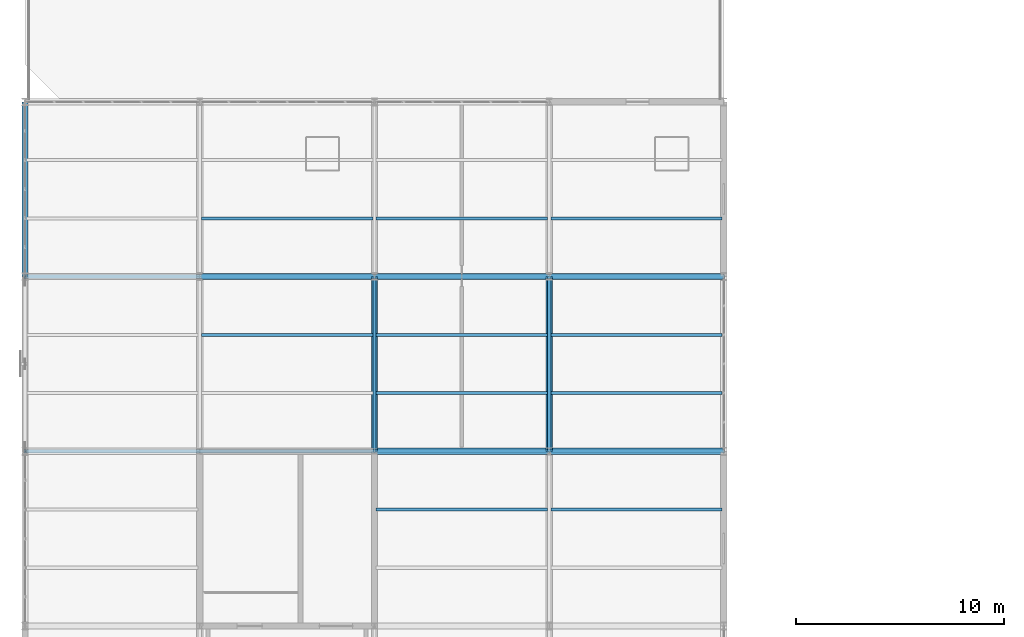
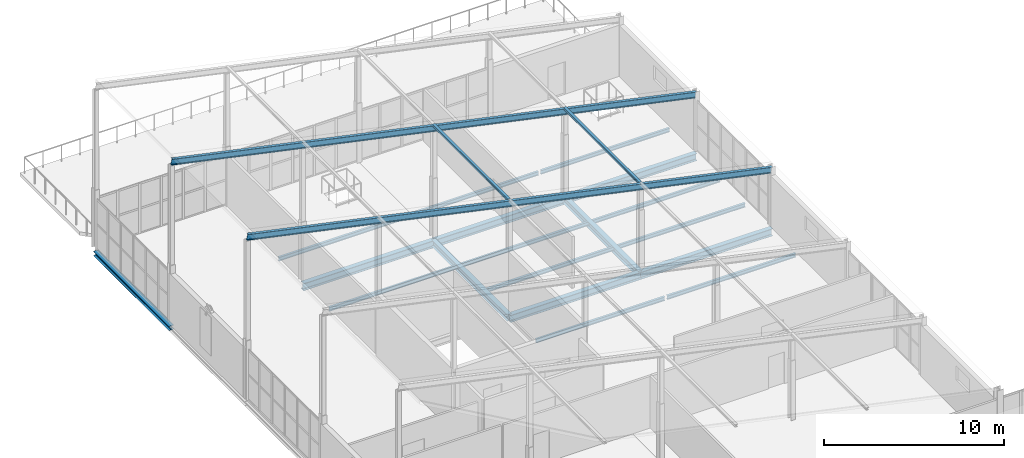
# One storey, part 105 of 184: 20 beams, 2 members.
"""IFC4 building model written with IfcOpenShell, lengths in metres."""

from ifc_helpers import new_model, si_unit, direction, frame, origin, origin_2d, place, context, subcontext, project, spatial, i_section, extrude, material, material_profile, profile_set, type_object, element, save


model = new_model("IFC4")

# Units and contexts
model_context = context("Model", 3, precision=1e-05, world=origin(), true_north=direction((0.0, 1.0)))
body_context = subcontext(model_context, "Body", "Model", "MODEL_VIEW")
ifc_project = project(units=[si_unit("LENGTHUNIT", "METRE"), si_unit("AREAUNIT", "SQUARE_METRE"), si_unit("VOLUMEUNIT", "CUBIC_METRE"), si_unit("PLANEANGLEUNIT", "RADIAN"), si_unit("MASSUNIT", "GRAM", prefix="KILO")], contexts=[model_context])

# Site, building, storey
site_placement = place(None, origin())
site = spatial("IfcSite", under=ifc_project, at=site_placement, CompositionType="ELEMENT")
building_placement = place(site_placement, origin())
building = spatial("IfcBuilding", under=site, at=building_placement, Name="Qalvenar Corner Mobility Hub", CompositionType="ELEMENT")
storey_placement = place(building_placement, frame((0.0, 0.0, 9.0)))
storey = spatial("IfcBuildingStorey", under=building, at=storey_placement, Name="L02", CompositionType="ELEMENT", Elevation=9.0)

# Beams
ifc_material = material(Name="Steel S355", Category="steel")
ifc_material_profile_1 = material_profile(ifc_material, i_section(OverallWidth=0.300048828125, OverallDepth=0.43994140625, WebThickness=0.011474609375, FlangeThickness=0.02099609375, FilletRadius=0.027099609375, at=origin_2d()), Name="HEA450")
ifc_profile_set_1 = profile_set([ifc_material_profile_1], Name="Steel S355")
beam_type_1 = type_object("IfcBeamType", Name="BM-HEA450", PredefinedType="BEAM", material=ifc_profile_set_1)
for number, where, z_axis, x_axis, name in (
    (1, (16.800048828125, 67.199951171875, -0.39990234375), (0.0, 1.0, 0.0), (-1.0, 0.0, 0.0), "Primary Steel Girder GY-1852"),
    (2, (25.199951171875, 67.199951171875, -0.39990234375), (0.0, 1.0, 0.0), (-1.0, 0.0, 0.0), "Primary Steel Girder GY-1857"),
):
    element("IfcBeam", number, at=place(storey_placement, frame(where, z_axis=z_axis, x_axis=x_axis)), inside=storey, type_object=beam_type_1, Name=name, PredefinedType="BEAM", context=body_context, shape_type="SweptSolid", body=[
        extrude(i_section(OverallWidth=0.300048828125, OverallDepth=0.43994140625, WebThickness=0.011474609375, FlangeThickness=0.02099609375, FilletRadius=0.027099609375, at=origin_2d()), origin(), (0.0, 0.0, 1.0), 8.400146484375),
    ])
ifc_material_profile_2 = material_profile(ifc_material, i_section(OverallWidth=0.300048828125, OverallDepth=0.489990234375, WebThickness=0.011962890625, FlangeThickness=0.02294921875, FilletRadius=0.027099609375, at=origin_2d()), Name="HEA500")
ifc_profile_set_2 = profile_set([ifc_material_profile_2], Name="Steel S355")
beam_type_2 = type_object("IfcBeamType", Name="BM-HEA500", PredefinedType="BEAM", material=ifc_profile_set_2)
beam_1_placement = place(storey_placement, frame((16.800048828125, 67.199951171875, -0.425048828125), z_axis=(1.0, 0.0, 0.0), x_axis=(0.0, 1.0, 0.0)))
element("IfcBeam", 3, at=beam_1_placement, inside=storey, type_object=beam_type_2, Name="Primary Steel Girder GX-1829", PredefinedType="BEAM", context=body_context, shape_type="SweptSolid", body=[
    extrude(i_section(OverallWidth=0.300048828125, OverallDepth=0.489990234375, WebThickness=0.011962890625, FlangeThickness=0.02294921875, FilletRadius=0.027099609375, at=origin_2d()), origin(), (0.0, 0.0, 1.0), 8.39990234375),
])
for number, where, z_axis, x_axis, name in (
    (4, (25.199951171875, 67.199951171875, -0.425048828125), (1.0, 0.0, 0.0), (0.0, 1.0, 0.0), "Primary Steel Girder GX-1830"),
    (5, (8.39990234375, 75.60009765625, -0.425048828125), (1.0, 0.0, 0.0), (0.0, 1.0, 0.0), "Primary Steel Girder GX-1832"),
):
    element("IfcBeam", number, at=place(storey_placement, frame(where, z_axis=z_axis, x_axis=x_axis)), inside=storey, type_object=beam_type_2, Name=name, PredefinedType="BEAM", context=body_context, shape_type="SweptSolid", body=[
        extrude(i_section(OverallWidth=0.300048828125, OverallDepth=0.489990234375, WebThickness=0.011962890625, FlangeThickness=0.02294921875, FilletRadius=0.027099609375, at=origin_2d()), origin(), (0.0, 0.0, 1.0), 8.400146484375),
    ])
beam_2_placement = place(storey_placement, frame((16.800048828125, 75.60009765625, -0.425048828125), z_axis=(1.0, 0.0, 0.0), x_axis=(0.0, 1.0, 0.0)))
element("IfcBeam", 6, at=beam_2_placement, inside=storey, type_object=beam_type_2, Name="Primary Steel Girder GX-1833", PredefinedType="BEAM", context=body_context, shape_type="SweptSolid", body=[
    extrude(i_section(OverallWidth=0.300048828125, OverallDepth=0.489990234375, WebThickness=0.011962890625, FlangeThickness=0.02294921875, FilletRadius=0.027099609375, at=origin_2d()), origin(), (0.0, 0.0, 1.0), 8.39990234375),
])
beam_3_placement = place(storey_placement, frame((25.199951171875, 75.60009765625, -0.425048828125), z_axis=(1.0, 0.0, 0.0), x_axis=(0.0, 1.0, 0.0)))
element("IfcBeam", 7, at=beam_3_placement, inside=storey, type_object=beam_type_2, Name="Primary Steel Girder GX-1834", PredefinedType="BEAM", context=body_context, shape_type="SweptSolid", body=[
    extrude(i_section(OverallWidth=0.300048828125, OverallDepth=0.489990234375, WebThickness=0.011962890625, FlangeThickness=0.02294921875, FilletRadius=0.027099609375, at=origin_2d()), origin(), (0.0, 0.0, 1.0), 8.400146484375),
])
ifc_material_profile_3 = material_profile(ifc_material, i_section(OverallWidth=0.179931640625, OverallDepth=0.39990234375, WebThickness=0.008544921875, FlangeThickness=0.013427734375, FilletRadius=0.02099609375, at=origin_2d()), Name="IPE400")
ifc_profile_set_3 = profile_set([ifc_material_profile_3], Name="Steel S355")
beam_type_3 = type_object("IfcBeamType", Name="BM-IPE400", PredefinedType="BEAM", material=ifc_profile_set_3)
for number, where, z_axis, x_axis, name in (
    (8, (0.0, 67.199951171875, 10.93994140625), (0.977802829965, 0.0, -0.209527147912), (0.0, 1.0, 0.0), "Bicycle Hall Rafter V5RF-4"),
    (9, (0.0, 75.60009765625, 10.93994140625), (0.977802829965, 0.0, -0.209527147912), (0.0, 1.0, 0.0), "Bicycle Hall Rafter V5RF-5"),
):
    element("IfcBeam", number, at=place(storey_placement, frame(where, z_axis=z_axis, x_axis=x_axis)), inside=storey, type_object=beam_type_3, Name=name, PredefinedType="BEAM", context=body_context, shape_type="SweptSolid", body=[
        extrude(i_section(OverallWidth=0.179931640625, OverallDepth=0.39990234375, WebThickness=0.008544921875, FlangeThickness=0.013427734375, FilletRadius=0.02099609375, at=origin_2d()), origin(), (0.0, 0.0, 1.0), 34.36279296875),
    ])
ifc_material_profile_4 = material_profile(ifc_material, i_section(OverallWidth=0.14599609375, OverallDepth=0.258056640625, WebThickness=0.006103515625, FlangeThickness=0.009033203125, FilletRadius=0.011962890625, at=origin_2d()), Name="W250x32.7")
ifc_profile_set_4 = profile_set([ifc_material_profile_4], Name="Steel S355")
beam_type_4 = type_object("IfcBeamType", Name="BM-JST250", PredefinedType="JOIST", material=ifc_profile_set_4)
for number, where, z_axis, x_axis, name in (
    (10, (8.47802734375, 72.800048828125, -0.30908203125), (1.0, 0.0, 0.0), (0.0, 1.0, 0.0), "Composite Floor Joist J-1879"),
    (11, (8.47802734375, 78.39990234375, -0.30908203125), (1.0, 0.0, 0.0), (0.0, 1.0, 0.0), "Composite Floor Joist J-1880"),
):
    element("IfcBeam", number, at=place(storey_placement, frame(where, z_axis=z_axis, x_axis=x_axis)), inside=storey, type_object=beam_type_4, Name=name, PredefinedType="JOIST", context=body_context, shape_type="SweptSolid", body=[
        extrude(i_section(OverallWidth=0.14599609375, OverallDepth=0.258056640625, WebThickness=0.006103515625, FlangeThickness=0.009033203125, FilletRadius=0.011962890625, at=origin_2d()), origin(), (0.0, 0.0, 1.0), 8.243896484375),
    ])
for number, where, z_axis, x_axis, name in (
    (12, (16.8779296875, 64.39990234375, -0.30908203125), (1.0, 0.0, 0.0), (0.0, 1.0, 0.0), "Composite Floor Joist J-1887"),
    (13, (16.8779296875, 70.0, -0.30908203125), (1.0, 0.0, 0.0), (0.0, 1.0, 0.0), "Composite Floor Joist J-1888"),
    (14, (16.8779296875, 72.800048828125, -0.30908203125), (1.0, 0.0, 0.0), (0.0, 1.0, 0.0), "Composite Floor Joist J-1889"),
    (15, (16.8779296875, 78.39990234375, -0.30908203125), (1.0, 0.0, 0.0), (0.0, 1.0, 0.0), "Composite Floor Joist J-1890"),
):
    element("IfcBeam", number, at=place(storey_placement, frame(where, z_axis=z_axis, x_axis=x_axis)), inside=storey, type_object=beam_type_4, Name=name, PredefinedType="JOIST", context=body_context, shape_type="SweptSolid", body=[
        extrude(i_section(OverallWidth=0.14599609375, OverallDepth=0.258056640625, WebThickness=0.006103515625, FlangeThickness=0.009033203125, FilletRadius=0.011962890625, at=origin_2d()), origin(), (0.0, 0.0, 1.0), 8.244140625),
    ])
for number, where, z_axis, x_axis, name in (
    (16, (25.278076171875, 64.39990234375, -0.30908203125), (1.0, 0.0, 0.0), (0.0, 1.0, 0.0), "Composite Floor Joist J-1897"),
    (17, (25.278076171875, 70.0, -0.30908203125), (1.0, 0.0, 0.0), (0.0, 1.0, 0.0), "Composite Floor Joist J-1898"),
    (18, (25.278076171875, 72.800048828125, -0.30908203125), (1.0, 0.0, 0.0), (0.0, 1.0, 0.0), "Composite Floor Joist J-1899"),
    (19, (25.278076171875, 78.39990234375, -0.30908203125), (1.0, 0.0, 0.0), (0.0, 1.0, 0.0), "Composite Floor Joist J-1900"),
):
    element("IfcBeam", number, at=place(storey_placement, frame(where, z_axis=z_axis, x_axis=x_axis)), inside=storey, type_object=beam_type_4, Name=name, PredefinedType="JOIST", context=body_context, shape_type="SweptSolid", body=[
        extrude(i_section(OverallWidth=0.14599609375, OverallDepth=0.258056640625, WebThickness=0.006103515625, FlangeThickness=0.009033203125, FilletRadius=0.011962890625, at=origin_2d()), origin(), (0.0, 0.0, 1.0), 8.243896484375),
    ])
ifc_material_profile_5 = material_profile(ifc_material, i_section(OverallWidth=0.300048828125, OverallDepth=0.2900390625, WebThickness=0.008544921875, FlangeThickness=0.013916015625, FilletRadius=0.027099609375, at=origin_2d()), Name="HEA300")
ifc_profile_set_5 = profile_set([ifc_material_profile_5], Name="Steel S355")
beam_type_5 = type_object("IfcBeamType", Name="BM-SPN300", PredefinedType="SPANDREL", material=ifc_profile_set_5)
beam_4_placement = place(storey_placement, frame((0.0, 75.60009765625, -0.324951171875), z_axis=(0.0, 1.0, 0.0), x_axis=(-1.0, 0.0, 0.0)))
element("IfcBeam", 20, at=beam_4_placement, inside=storey, type_object=beam_type_5, Name="Primary Steel Girder GY-1843", PredefinedType="SPANDREL", context=body_context, shape_type="SweptSolid", body=[
    extrude(i_section(OverallWidth=0.300048828125, OverallDepth=0.2900390625, WebThickness=0.008544921875, FlangeThickness=0.013916015625, FilletRadius=0.027099609375, at=origin_2d()), origin(), (0.0, 0.0, 1.0), 8.39990234375),
])

# Members
ifc_material_profile_6 = material_profile(ifc_material, i_section(OverallWidth=0.159912109375, OverallDepth=0.159912109375, WebThickness=0.008056640625, FlangeThickness=0.012939453125, FilletRadius=0.014892578125, at=origin_2d()), Name="HEB160")
ifc_profile_set_6 = profile_set([ifc_material_profile_6], Name="Steel S355")
member_type = type_object("IfcMemberType", Name="PR-RHS160", PredefinedType="PURLIN", material=ifc_profile_set_6)
for number, where, z_axis, x_axis, name in (
    (21, (16.800048828125, 67.199951171875, 7.550048828125), (0.0, 1.0, 0.0), (-1.0, 0.0, 0.0), "Bicycle Hall Roof Purlin PR-V5-4-16"),
    (22, (25.199951171875, 67.199951171875, 5.75), (0.0, 1.0, 0.0), (-1.0, 0.0, 0.0), "Bicycle Hall Roof Purlin PR-V5-4-25"),
):
    element("IfcMember", number, at=place(storey_placement, frame(where, z_axis=z_axis, x_axis=x_axis)), inside=storey, type_object=member_type, Name=name, PredefinedType="PURLIN", context=body_context, shape_type="SweptSolid", body=[
        extrude(i_section(OverallWidth=0.159912109375, OverallDepth=0.159912109375, WebThickness=0.008056640625, FlangeThickness=0.012939453125, FilletRadius=0.014892578125, at=origin_2d()), origin(), (0.0, 0.0, 1.0), 8.400146484375),
    ])

save(model, "model.ifc")
